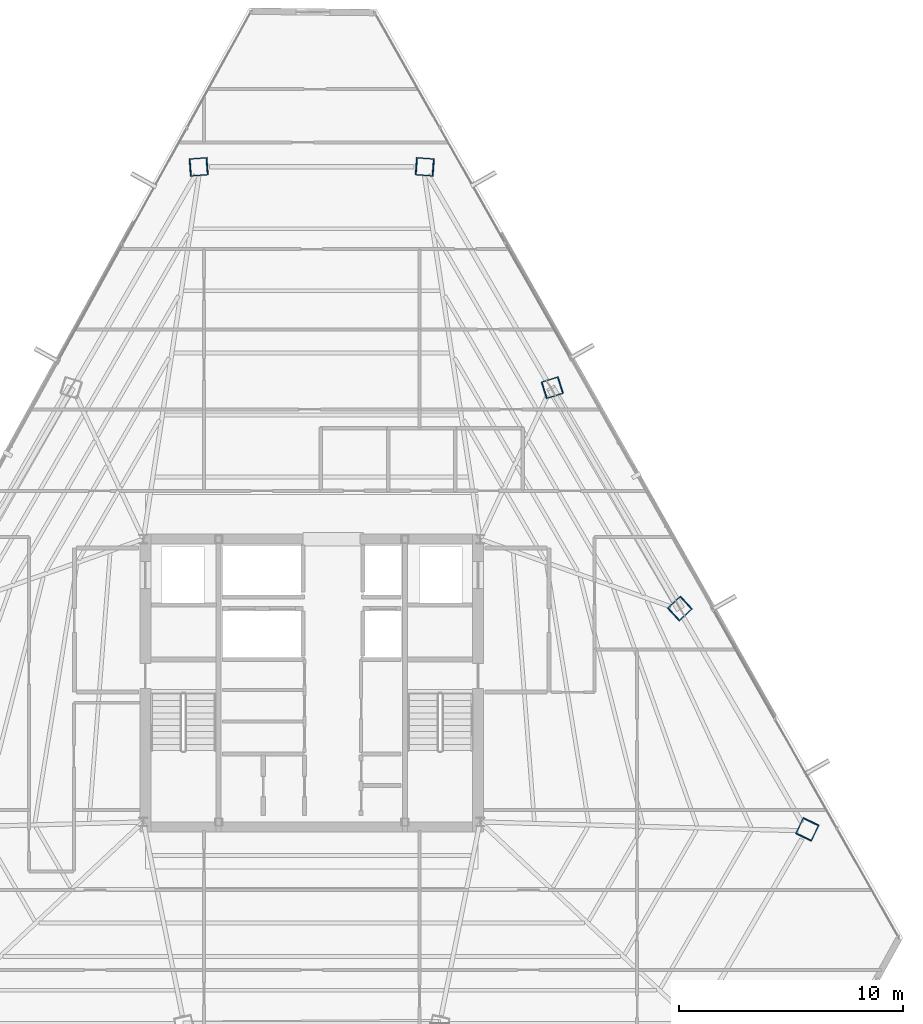
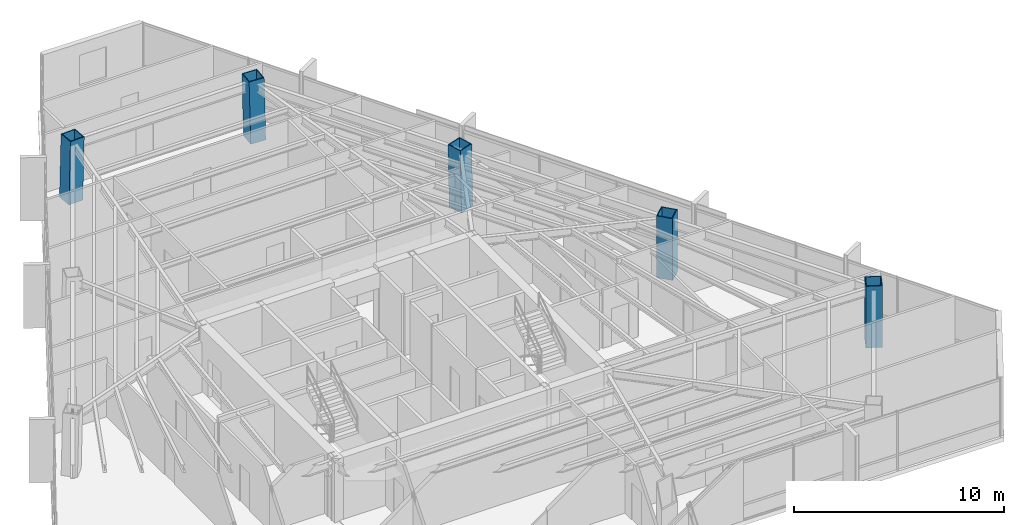
# One storey, part 2 of 42: 5 columns.
"""IFC4 building model written with IfcOpenShell, lengths in metres."""

import ifcopenshell
import ifcopenshell.guid

model = None  # the IFC model being written
_history = None  # IfcOwnerHistory: only IFC2X3 demands one
_inside = {}  # id of a spatial element -> (the spatial element, [elements in it])
_under = {}  # id of a project, library or spatial element -> (it, [spatial elements below it])
_declared = {}  # id of a project -> (the project, [libraries it declares])
_typed = {}  # id of a type object -> (the type object, [elements of that type])
_made_of = {}  # id of a material, layer set ... -> (it, [elements and type objects made of it])


def new_model(schema):
    """Start an empty IFC model of exactly this schema.

    Asked for "IFC4X3", IfcOpenShell would pick the latest addendum, in which some entities
    have other attributes; the version numbers below select the first issue.
    IFC2X3 requires an IfcOwnerHistory on every rooted entity: one is made here for all.
    """
    global model, _history
    if schema == "IFC4X3":
        model = ifcopenshell.file(schema_version=(4, 3, 0, 0))
    else:
        model = ifcopenshell.file(schema=schema)
    _inside.clear()
    _under.clear()
    _declared.clear()
    _typed.clear()
    _made_of.clear()
    _history = None
    if model.schema == "IFC2X3":
        org = make("IfcOrganization", Name="unknown")
        user = make(
            "IfcPersonAndOrganization",
            ThePerson=make("IfcPerson", FamilyName="unknown"),
            TheOrganization=org,
        )
        app = make(
            "IfcApplication",
            ApplicationDeveloper=org,
            Version="unknown",
            ApplicationFullName="unknown",
            ApplicationIdentifier="unknown",
        )
        _history = make(
            "IfcOwnerHistory",
            OwningUser=user,
            OwningApplication=app,
            ChangeAction="ADDED",
            CreationDate=0,
        )
    return model


def make(cls, **values):
    """One entity of the class cls with the attributes given. An attribute that is None is left unset."""
    return model.create_entity(
        cls, **{name: value for name, value in values.items() if value is not None}
    )


def rooted(cls, **values):
    """An entity with a GlobalId (a new one), such as an element, a storey or a relation."""
    return make(cls, GlobalId=ifcopenshell.guid.new(), OwnerHistory=_history, **values)


def si_unit(unit_type, name, prefix=None):
    """IfcSIUnit, for example si_unit("LENGTHUNIT", "METRE", prefix="MILLI")."""
    return make("IfcSIUnit", UnitType=unit_type, Prefix=prefix, Name=name)


def assignment(units):
    """IfcUnitAssignment: the units of a project."""
    return None if units is None else make("IfcUnitAssignment", Units=units)


def point(xyz):
    """IfcCartesianPoint."""
    return None if xyz is None else make("IfcCartesianPoint", Coordinates=xyz)


def direction(xyz):
    """IfcDirection."""
    return None if xyz is None else make("IfcDirection", DirectionRatios=xyz)


def frame(location, z_axis=None, x_axis=None):
    """IfcAxis2Placement3D, a coordinate frame: its origin and axes. An axis left out is left unset."""
    return make(
        "IfcAxis2Placement3D",
        Location=point(location),
        Axis=direction(z_axis),
        RefDirection=direction(x_axis),
    )


def frame_2d(location, x_axis=None):
    """IfcAxis2Placement2D, a coordinate frame in the plane: its origin and x axis."""
    return make(
        "IfcAxis2Placement2D", Location=point(location), RefDirection=direction(x_axis)
    )


def origin():
    """The frame at (0, 0, 0) with its axes left unset."""
    return frame((0.0, 0.0, 0.0))


def origin_2d():
    """The frame at (0, 0) in the plane with its x axis left unset."""
    return frame_2d((0.0, 0.0))


def place(relative_to, where):
    """IfcLocalPlacement: puts the frame where relative to a parent placement (None: the world)."""
    return make(
        "IfcLocalPlacement", PlacementRelTo=relative_to, RelativePlacement=where
    )


def context(
    kind, dimensions, precision=None, world=None, true_north=None, identifier=None
):
    """IfcGeometricRepresentationContext, for example the 3D "Model" context."""
    return make(
        "IfcGeometricRepresentationContext",
        ContextIdentifier=identifier,
        ContextType=kind,
        CoordinateSpaceDimension=dimensions,
        Precision=precision,
        WorldCoordinateSystem=world,
        TrueNorth=true_north,
    )


def subcontext(parent, identifier, kind, view, scale=None):
    """IfcGeometricRepresentationSubContext, for example "Body" below "Model"."""
    return make(
        "IfcGeometricRepresentationSubContext",
        ContextIdentifier=identifier,
        ContextType=kind,
        ParentContext=parent,
        TargetScale=scale,
        TargetView=view,
    )


def project(units=None, contexts=None):
    """IfcProject with its units and contexts."""
    return rooted(
        "IfcProject",
        Name="project",
        RepresentationContexts=contexts,
        UnitsInContext=assignment(units),
    )


def spatial(cls, under=None, at=None, **own):
    """A site, building, storey or space (cls), placed at a placement, below another one or the project."""
    s = rooted(cls, ObjectPlacement=at, **own)
    if under is not None:
        _under.setdefault(under.id(), (under, []))[1].append(s)
    return s


def profile(cls, at=None, kind="AREA", **sizes):
    """A parametric profile (cls). Its sizes go by their IFC names, for example OverallWidth=200.0."""
    return make(cls, ProfileType=kind, Position=at, **sizes)


def hollow_rectangle(**sizes):
    """IfcRectangleHollowProfileDef."""
    return profile("IfcRectangleHollowProfileDef", **sizes)


def extrude(swept, where, along, depth):
    """IfcExtrudedAreaSolid: the profile swept, set in the frame where, extruded along a direction by depth."""
    return make(
        "IfcExtrudedAreaSolid",
        SweptArea=swept,
        Position=where,
        ExtrudedDirection=direction(along),
        Depth=depth,
    )


def shape(context_of_items, identifier, shape_type, items):
    """IfcShapeRepresentation: the items that make up one representation, for example the "Body"."""
    return make(
        "IfcShapeRepresentation",
        ContextOfItems=context_of_items,
        RepresentationIdentifier=identifier,
        RepresentationType=shape_type,
        Items=items,
    )


def source(mapping_origin, context_of_items, identifier, shape_type, items):
    """IfcRepresentationMap: a shape defined once, which mapped items show again and again."""
    return make(
        "IfcRepresentationMap",
        MappingOrigin=mapping_origin,
        MappedRepresentation=shape(context_of_items, identifier, shape_type, items),
    )


def transform(
    local_origin,
    x_axis=None,
    y_axis=None,
    z_axis=None,
    scale=None,
    scale2=None,
    scale3=None,
    uniform=True,
):
    """IfcCartesianTransformationOperator3D, or its non-uniform kind. x_axis, y_axis, z_axis: its Axis1, 2, 3."""
    if uniform:
        return make(
            "IfcCartesianTransformationOperator3D",
            Axis1=direction(x_axis),
            Axis2=direction(y_axis),
            LocalOrigin=point(local_origin),
            Scale=scale,
            Axis3=direction(z_axis),
        )
    return make(
        "IfcCartesianTransformationOperator3DnonUniform",
        Axis1=direction(x_axis),
        Axis2=direction(y_axis),
        LocalOrigin=point(local_origin),
        Scale=scale,
        Axis3=direction(z_axis),
        Scale2=scale2,
        Scale3=scale3,
    )


def mapped(mapping_source, mapping_target):
    """IfcMappedItem: shows the shape of a source again, moved by a transform."""
    return make(
        "IfcMappedItem", MappingSource=mapping_source, MappingTarget=mapping_target
    )


def material(Name=None, Category=None):
    """IfcMaterial."""
    return make("IfcMaterial", Name=Name, Category=Category)


def material_profile(
    of_material, cross_section, Name=None, Category=None, Priority=None
):
    """IfcMaterialProfile: a cross section and its material."""
    return make(
        "IfcMaterialProfile",
        Name=Name,
        Material=of_material,
        Profile=cross_section,
        Priority=Priority,
        Category=Category,
    )


def profile_set(profiles, Name=None, composite=None):
    """IfcMaterialProfileSet."""
    return make(
        "IfcMaterialProfileSet",
        Name=Name,
        MaterialProfiles=profiles,
        CompositeProfile=composite,
    )


def made_of(thing, what):
    """Note that an element or type object is made of a material, layer set ...; save() writes the relation."""
    if what is not None:
        _made_of.setdefault(what.id(), (what, []))[1].append(thing)
    return thing


def type_object(cls, material=None, **own):
    """A type object (cls), such as IfcWallType, which elements share."""
    return made_of(rooted(cls, **own), material)


def type_shapes(of_type, sources):
    """Give a type object the sources (RepresentationMaps) that its elements show as mapped items."""
    of_type.RepresentationMaps = sources


def element(
    cls,
    number,
    at=None,
    inside=None,
    cuts=None,
    type_object=None,
    material=None,
    context=None,
    identifier="Body",
    shape_type=None,
    held_by="IfcProductDefinitionShape",
    body=None,
    shapes=None,
    **own,
):
    """One element of the class cls, such as IfcWall. Its Tag is "e" and its number.

    at: its placement. inside: the storey or other place that contains it. cuts: it is an
    opening in that element (IfcRelVoidsElement). A single representation is given by context,
    identifier, shape_type and body (its items); several are given by shapes. held_by: the class
    of the entity that holds the representations. save() writes the other relations.
    """
    e = rooted(cls, Tag="e%d" % number, ObjectPlacement=at, **own)
    if body is not None:
        shapes = [shape(context, identifier, shape_type, body)]
    if shapes is not None:
        e.Representation = make(held_by, Representations=shapes)
    if inside is not None:
        _inside.setdefault(inside.id(), (inside, []))[1].append(e)
    if cuts is not None:
        rooted(
            "IfcRelVoidsElement", RelatingBuildingElement=cuts, RelatedOpeningElement=e
        )
    if type_object is not None:
        _typed.setdefault(type_object.id(), (type_object, []))[1].append(e)
    return made_of(e, material)


def aggregate(whole, parts):
    """IfcRelAggregates: a whole, such as a stair, and the parts it consists of."""
    return rooted("IfcRelAggregates", RelatingObject=whole, RelatedObjects=parts)


def save(model, path):
    """Write the relations noted so far, then the file.

    IfcRelAggregates (storeys below a building ...), IfcRelContainedInSpatialStructure (elements
    in a storey), IfcRelDefinesByType, IfcRelAssociatesMaterial and IfcRelDeclares: one each for
    every whole, place, type object, material and project.
    """
    for whole, parts in _under.values():
        aggregate(whole, parts)
    for where, things in _inside.values():
        rooted(
            "IfcRelContainedInSpatialStructure",
            RelatedElements=things,
            RelatingStructure=where,
        )
    for kind, things in _typed.values():
        rooted("IfcRelDefinesByType", RelatedObjects=things, RelatingType=kind)
    for what, things in _made_of.values():
        rooted("IfcRelAssociatesMaterial", RelatedObjects=things, RelatingMaterial=what)
    for by, libraries in _declared.values():
        rooted("IfcRelDeclares", RelatingContext=by, RelatedDefinitions=libraries)
    model.write(path)


model = new_model("IFC4")

# Units and contexts
model_context = context("Model", 3, precision=1e-05, world=origin(), true_north=direction((0.0, 1.0)))
body_context = subcontext(model_context, "Body", "Model", "MODEL_VIEW")
ifc_project = project(units=[si_unit("LENGTHUNIT", "METRE"), si_unit("AREAUNIT", "SQUARE_METRE"), si_unit("VOLUMEUNIT", "CUBIC_METRE"), si_unit("PLANEANGLEUNIT", "RADIAN"), si_unit("MASSUNIT", "GRAM", prefix="KILO")], contexts=[model_context])

# Site, building, storey
site_placement = place(None, origin())
site = spatial("IfcSite", under=ifc_project, at=site_placement, CompositionType="ELEMENT")
building_placement = place(site_placement, origin())
building = spatial("IfcBuilding", under=site, at=building_placement, Name="Caelisora Broadcast Tower", CompositionType="ELEMENT")
storey_placement = place(building_placement, frame((0.0, 0.0, 205.949951171875)))
storey = spatial("IfcBuildingStorey", under=building, at=storey_placement, Name="L54", CompositionType="ELEMENT", Elevation=205.949951171875)

# Columns
ifc_material = material(Name="Steel Grade 350 L15 (AS/NZS 3678)", Category="steel")
ifc_material_profile = material_profile(ifc_material, hollow_rectangle(XDim=0.800048828125, YDim=0.800048828125, WallThickness=0.044921875, at=origin_2d()), Name="Steel Grade 350 L15 (AS/NZS 3678)")
ifc_profile_set = profile_set([ifc_material_profile], Name="Steel Grade 350 L15 (AS/NZS 3678)")
column_type = type_object("IfcColumnType", Name="MC05", PredefinedType="COLUMN", material=ifc_profile_set)
shared_shape_1 = source(origin(), body_context, "Body", "SweptSolid", [
    extrude(hollow_rectangle(XDim=0.800048828125, YDim=0.800048828125, WallThickness=0.044921875, at=origin_2d()), origin(), (0.0, 0.0, 1.0), 3.65087890625),
])
for number, where, z_axis, x_axis, name in (
    (1, (54.407470703125, 26.916259765625, 0.0), (-0.014912316331, -0.013775502979, 0.999793907933), (0.678553674548, -0.734550822447, 0.0), "L54 column MC05"),
    (2, (48.729248046875, 36.751220703125, 0.0), (-0.019392689002, -0.006085292066, 0.99979342508), (0.299398805134, -0.954128060317, 0.0), "L54 column MC05"),
):
    element("IfcColumn", number, at=place(storey_placement, frame(where, z_axis=z_axis, x_axis=x_axis)), inside=storey, type_object=column_type, Name=name, PredefinedType="COLUMN", context=body_context, shape_type="MappedRepresentation", body=[
        mapped(shared_shape_1, transform((0.0, 0.0, 0.0), scale=1.0)),
    ])
shared_shape_2 = source(origin(), body_context, "Body", "SweptSolid", [
    extrude(hollow_rectangle(XDim=0.800048828125, YDim=0.800048828125, WallThickness=0.044921875, at=origin_2d()), origin(), (0.0, 0.0, 1.0), 3.651123046875),
])
type_shapes(column_type, [shared_shape_1, shared_shape_2])
for number, where, z_axis, x_axis, name in (
    (3, (43.051025390625, 46.5859375, 0.0), (-0.023871161178, 0.00173851594, 0.999713531581), (-0.07263675076, -0.997358462359, 0.0), "L54 column MC05"),
    (4, (32.948974609375, 46.5859375, 0.0), (0.023871161178, 0.00173851594, 0.999713531581), (-0.07263675076, 0.997358462359, 0.0), "L54 column MC05"),
    (5, (60.08544921875, 17.08154296875, 0.0), (-0.010364224337, -0.0215977062, 0.999713019792), (0.901566609123, -0.432640323264, 0.0), "L54 column MC05"),
):
    element("IfcColumn", number, at=place(storey_placement, frame(where, z_axis=z_axis, x_axis=x_axis)), inside=storey, type_object=column_type, Name=name, PredefinedType="COLUMN", context=body_context, shape_type="MappedRepresentation", body=[
        mapped(shared_shape_2, transform((0.0, 0.0, 0.0), scale=1.0)),
    ])

save(model, "model.ifc")
